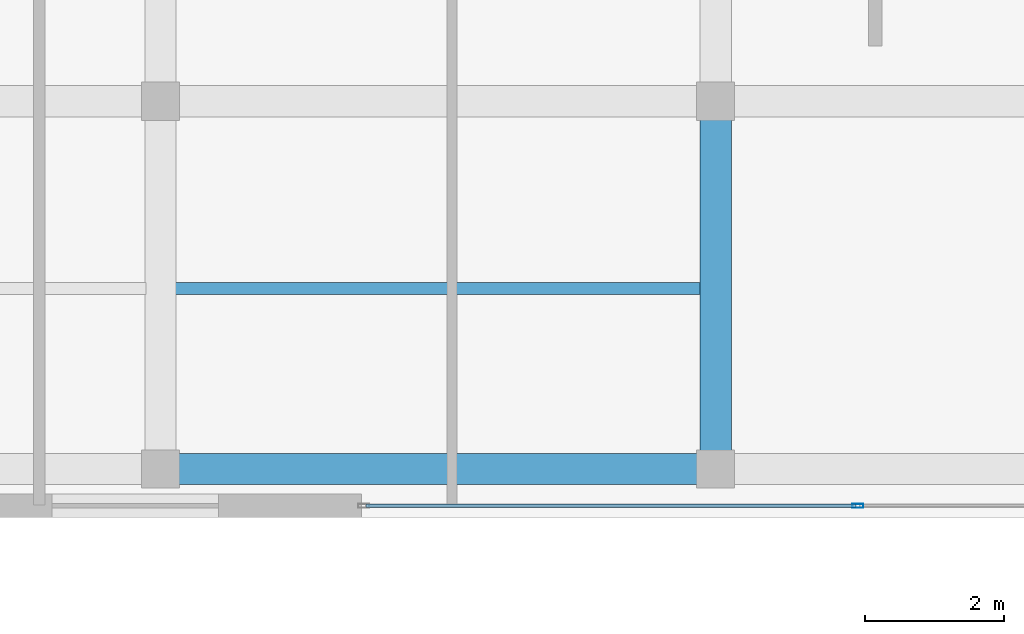
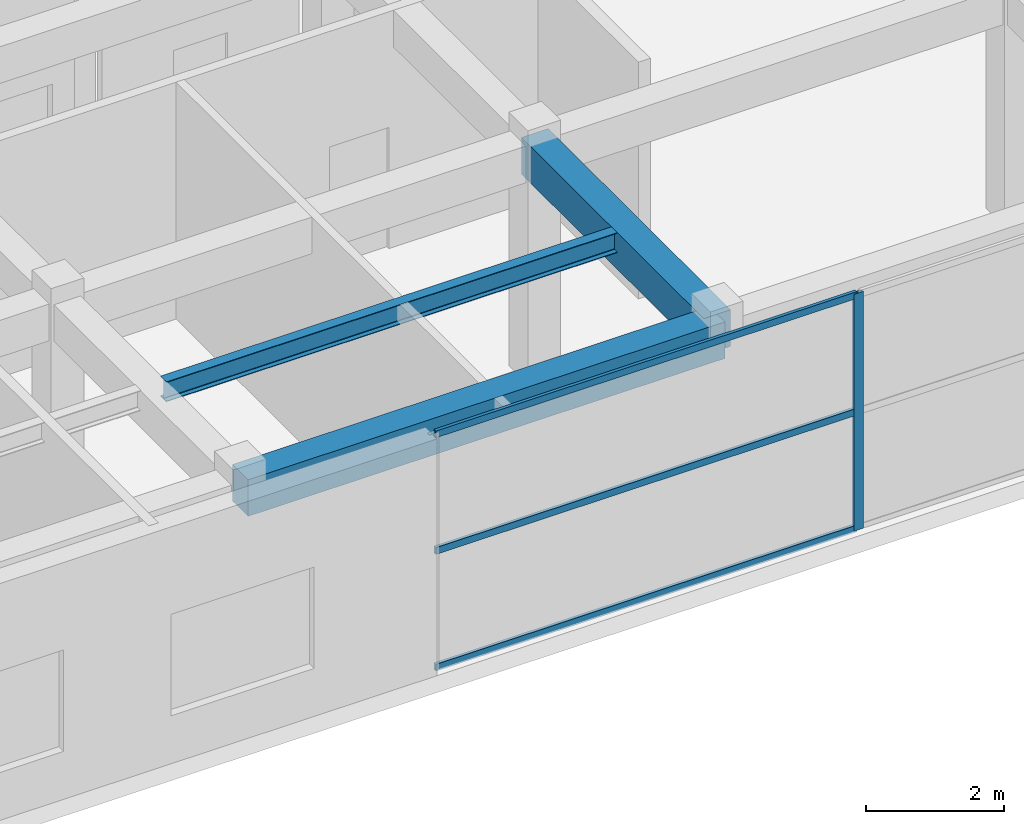
# One storey, part 11 of 26: 4 members, 3 beams, 1 element without a shape of its own.
"""IFC4 building model written with IfcOpenShell, lengths in metres."""

from ifc_helpers import new_model, si_unit, direction, frame, origin, origin_2d, place, context, subcontext, project, spatial, rectangle, hollow_rectangle, i_section, extrude, source, transform, mapped, material, layer, layer_set, material_profile, profile_set, type_object, element, aggregate, save


model = new_model("IFC4")

# Units and contexts
model_context = context("Model", 3, precision=1e-05, world=origin(), true_north=direction((0.0, 1.0)))
body_context = subcontext(model_context, "Body", "Model", "MODEL_VIEW")
ifc_project = project(units=[si_unit("LENGTHUNIT", "METRE"), si_unit("AREAUNIT", "SQUARE_METRE"), si_unit("VOLUMEUNIT", "CUBIC_METRE"), si_unit("PLANEANGLEUNIT", "RADIAN"), si_unit("MASSUNIT", "GRAM", prefix="KILO")], contexts=[model_context])

# Site, building, storey
site_placement = place(None, origin())
site = spatial("IfcSite", under=ifc_project, at=site_placement, CompositionType="ELEMENT")
building_placement = place(site_placement, origin())
building = spatial("IfcBuilding", under=site, at=building_placement, Name="Khoralis Quay Care Tower", CompositionType="ELEMENT")
storey_placement = place(building_placement, frame((0.0, 0.0, 13.5)))
storey = spatial("IfcBuildingStorey", under=building, at=storey_placement, Name="L03", CompositionType="ELEMENT", Elevation=13.5)

# Beams
ifc_material_1 = material(Name="Concrete C40/50", Category="concrete")
ifc_material_profile_1 = material_profile(ifc_material_1, rectangle(XDim=0.449951171875, YDim=0.64990234375, at=origin_2d()), Name="Concrete C40/50")
ifc_profile_set_1 = profile_set([ifc_material_profile_1], Name="Concrete C40/50")
beam_type_1 = type_object("IfcBeamType", Name="BM-RC450X650", PredefinedType="BEAM", material=ifc_profile_set_1)
shared_shape_1 = source(origin(), body_context, "Body", "SweptSolid", [
    extrude(rectangle(XDim=0.449951171875, YDim=0.64990234375, at=origin_2d()), origin(), (0.0, 0.0, 1.0), 8.0),
])
beam_1_placement = place(storey_placement, frame((76.0, 6.699951171875, 3.875), z_axis=(1.0, 0.0, 0.0), x_axis=(0.0, 1.0, 0.0)))
element("IfcBeam", 1, at=beam_1_placement, inside=storey, type_object=beam_type_1, Name="BM-SCX-L03-02", PredefinedType="BEAM", context=body_context, shape_type="MappedRepresentation", body=[
    mapped(shared_shape_1, transform((0.0, 0.0, 0.0), scale=1.0)),
])
shared_shape_2 = source(origin(), body_context, "Body", "SweptSolid", [
    extrude(rectangle(XDim=0.449951171875, YDim=0.64990234375, at=origin_2d()), origin(), (0.0, 0.0, 1.0), 5.300048828125),
])
beam_2_placement = place(storey_placement, frame((84.0, 6.699951171875, 3.875), z_axis=(0.0, 1.0, 0.0), x_axis=(-1.0, 0.0, 0.0)))
element("IfcBeam", 2, at=beam_2_placement, inside=storey, type_object=beam_type_1, Name="BM-SCY-L03-36", PredefinedType="BEAM", context=body_context, shape_type="MappedRepresentation", body=[
    mapped(shared_shape_2, transform((0.0, 0.0, 0.0), scale=1.0)),
])
ifc_material_2 = material(Name="Steel S355", Category="steel")
ifc_material_profile_2 = material_profile(ifc_material_2, i_section(OverallWidth=0.1708984375, OverallDepth=0.35498046875, WebThickness=0.007080078125, FlangeThickness=0.01171875, FilletRadius=0.012939453125, at=origin_2d()), Name="Steel S355")
ifc_profile_set_2 = profile_set([ifc_material_profile_2], Name="Steel S355")
beam_type_2 = type_object("IfcBeamType", Name="BM-W360X51", PredefinedType="JOIST", material=ifc_profile_set_2)
shared_shape_3 = source(origin(), body_context, "Body", "SweptSolid", [
    extrude(i_section(OverallWidth=0.1708984375, OverallDepth=0.35498046875, WebThickness=0.007080078125, FlangeThickness=0.01171875, FilletRadius=0.012939453125, at=origin_2d()), origin(), (0.0, 0.0, 1.0), 7.57421875),
])
beam_3_placement = place(storey_placement, frame((76.212890625, 9.300048828125, 4.0224609375), z_axis=(1.0, 0.0, 0.0), x_axis=(0.0, 1.0, 0.0)))
element("IfcBeam", 3, at=beam_3_placement, inside=storey, type_object=beam_type_2, Name="BM-SCJ-L03-52", PredefinedType="JOIST", context=body_context, shape_type="MappedRepresentation", body=[
    mapped(shared_shape_3, transform((0.0, 0.0, 0.0), scale=1.0)),
])

# Curtain wall, members
ifc_material_3 = material(Name="Pale anodised aluminium", Category="aluminium")
ifc_layer = layer(ifc_material_3, 0.14990234375)
ifc_layer_set = layer_set([ifc_layer], Name="Pale anodised aluminium")
curtain_wall_type = type_object("IfcCurtainWallType", Name="CW-SYS-SCHOOL", PredefinedType="NOTDEFINED", material=ifc_layer_set)
curtain_wall_placement = place(storey_placement, origin())
curtain_wall = element("IfcCurtainWall", 4, at=curtain_wall_placement, inside=storey, type_object=curtain_wall_type, Name="L03 Unitised Curtain Wall CW-SCH-L03-E0", PredefinedType="NOTDEFINED")
ifc_material_profile_3 = material_profile(ifc_material_3, hollow_rectangle(XDim=0.06005859375, YDim=0.159912109375, WallThickness=0.00390625, at=origin_2d()), Name="Pale anodised aluminium")
ifc_profile_set_3 = profile_set([ifc_material_profile_3], Name="Pale anodised aluminium")
member_type_1 = type_object("IfcMemberType", Name="CW-MUL-160", PredefinedType="MULLION", material=ifc_profile_set_3)
shared_shape_4 = source(origin(), body_context, "Body", "SweptSolid", [
    extrude(hollow_rectangle(XDim=0.06005859375, YDim=0.159912109375, WallThickness=0.00390625, at=origin_2d()), origin(), (0.0, 0.0, 1.0), 4.199951171875),
])
member_1_placement = place(storey_placement, frame((86.050048828125, 6.169921875, 0.0), z_axis=(0.0, 0.0, 1.0), x_axis=(0.0, 1.0, 0.0)))
member_1 = element("IfcMember", 5, at=member_1_placement, type_object=member_type_1, Name="CW6 mullion 2", PredefinedType="MULLION", context=body_context, shape_type="MappedRepresentation", body=[
    mapped(shared_shape_4, transform((0.0, 0.0, 0.0), scale=1.0)),
])
ifc_material_profile_4 = material_profile(ifc_material_3, hollow_rectangle(XDim=0.054931640625, YDim=0.1201171875, WallThickness=0.00390625, at=origin_2d()), Name="Pale anodised aluminium")
ifc_profile_set_4 = profile_set([ifc_material_profile_4], Name="Pale anodised aluminium")
member_type_2 = type_object("IfcMemberType", Name="CW-TRN-120", PredefinedType="USERDEFINED", material=ifc_profile_set_4)
shared_shape_5 = source(origin(), body_context, "Body", "SweptSolid", [
    extrude(hollow_rectangle(XDim=0.054931640625, YDim=0.1201171875, WallThickness=0.00390625, at=origin_2d()), origin(), (0.0, 0.0, 1.0), 7.06201171875),
])
member_2_placement = place(storey_placement, frame((78.9580078125, 6.169921875, 0.030029296875), z_axis=(1.0, 0.0, 0.0), x_axis=(0.0, 1.0, 0.0)))
member_2 = element("IfcMember", 6, at=member_2_placement, type_object=member_type_2, Name="CW6 transom 1.1", ObjectType="TRANSOM", PredefinedType="USERDEFINED", context=body_context, shape_type="MappedRepresentation", body=[
    mapped(shared_shape_5, transform((0.0, 0.0, 0.0), scale=1.0)),
])
member_3_placement = place(storey_placement, frame((78.9580078125, 6.169921875, 2.10009765625), z_axis=(1.0, 0.0, 0.0), x_axis=(0.0, 1.0, 0.0)))
member_3 = element("IfcMember", 7, at=member_3_placement, type_object=member_type_2, Name="CW6 transom 1.2", ObjectType="TRANSOM", PredefinedType="USERDEFINED", context=body_context, shape_type="MappedRepresentation", body=[
    mapped(shared_shape_5, transform((0.0, 0.0, 0.0), scale=1.0)),
])
member_4_placement = place(storey_placement, frame((78.9580078125, 6.169921875, 4.169921875), z_axis=(1.0, 0.0, 0.0), x_axis=(0.0, 1.0, 0.0)))
member_4 = element("IfcMember", 8, at=member_4_placement, type_object=member_type_2, Name="CW6 transom 1.3", ObjectType="TRANSOM", PredefinedType="USERDEFINED", context=body_context, shape_type="MappedRepresentation", body=[
    mapped(shared_shape_5, transform((0.0, 0.0, 0.0), scale=1.0)),
])
aggregate(curtain_wall, [member_1, member_2, member_3, member_4])

save(model, "model.ifc")
